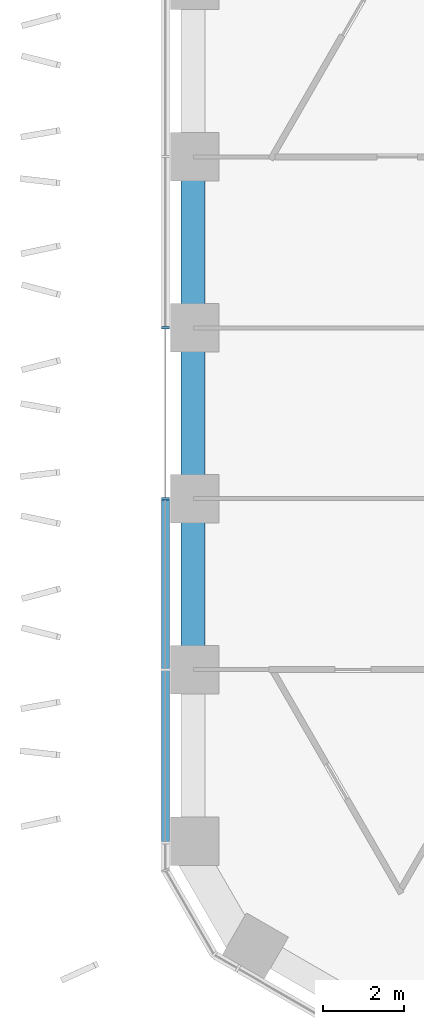
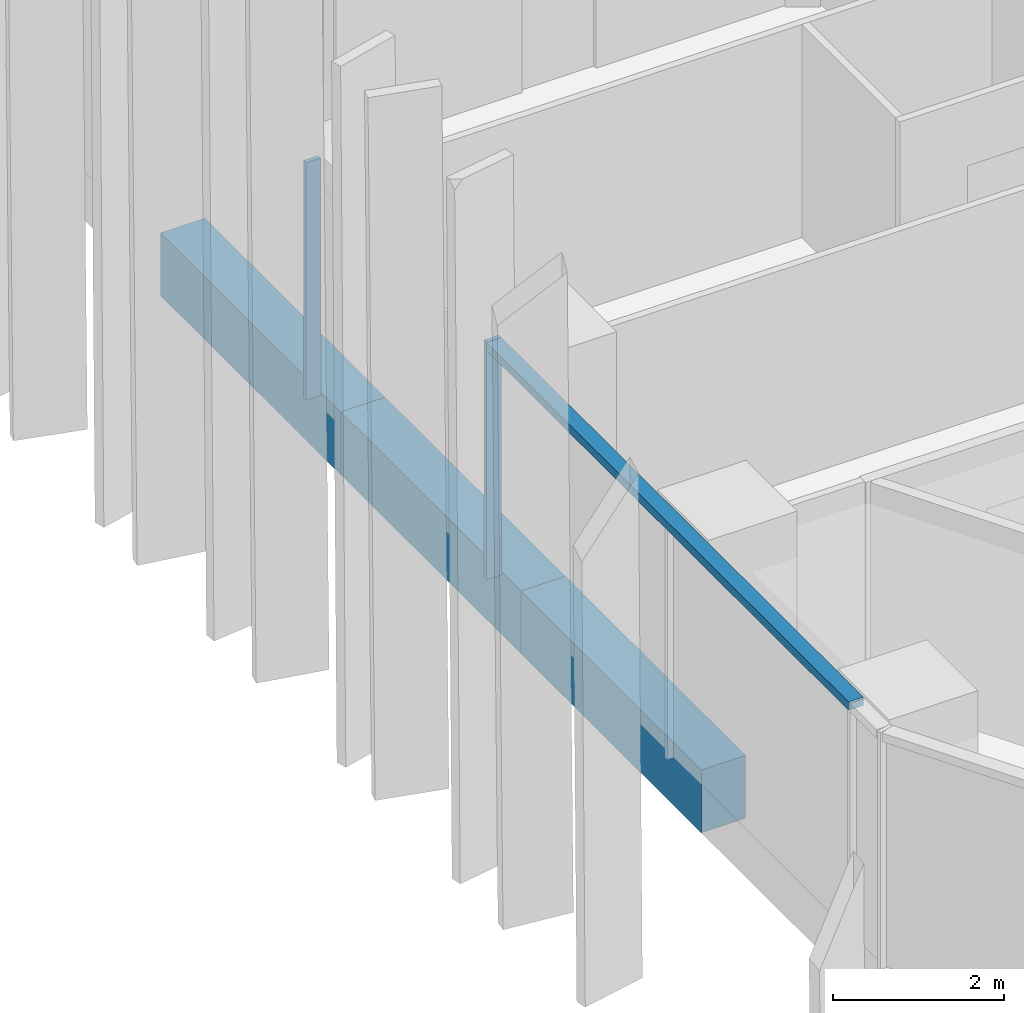
# One storey, part 3 of 19: 3 beams, 3 members, 1 element without a shape of its own.
"""IFC4 building model written with IfcOpenShell, lengths in metres."""

from ifc_helpers import new_model, si_unit, direction, frame, origin, origin_2d, place, context, subcontext, project, spatial, rectangle, extrude, material, layer, layer_set, material_profile, profile_set, type_object, element, aggregate, save


model = new_model("IFC4")

# Units and contexts
model_context = context("Model", 3, precision=1e-05, world=origin(), true_north=direction((0.0, 1.0)))
body_context = subcontext(model_context, "Body", "Model", "MODEL_VIEW")
ifc_project = project(units=[si_unit("LENGTHUNIT", "METRE"), si_unit("AREAUNIT", "SQUARE_METRE"), si_unit("VOLUMEUNIT", "CUBIC_METRE"), si_unit("PLANEANGLEUNIT", "RADIAN"), si_unit("MASSUNIT", "GRAM", prefix="KILO")], contexts=[model_context])

# Site, building, storey
site_placement = place(None, origin())
site = spatial("IfcSite", under=ifc_project, at=site_placement, CompositionType="ELEMENT")
building_placement = place(site_placement, origin())
building = spatial("IfcBuilding", under=site, at=building_placement, Name="Ayvan Gate Tower", CompositionType="ELEMENT")
storey_placement = place(building_placement, frame((0.0, 0.0, 56.10009765625)))
storey = spatial("IfcBuildingStorey", under=building, at=storey_placement, Name="L14", CompositionType="ELEMENT", Elevation=56.10009765625)

# Beams
ifc_material_1 = material(Name="Concrete C40/50", Category="concrete")
ifc_material_profile_1 = material_profile(ifc_material_1, rectangle(XDim=0.60009765625, YDim=0.89990234375, at=origin_2d()), Name="RC 600x900")
ifc_profile_set_1 = profile_set([ifc_material_profile_1], Name="Concrete C40/50")
beam_type = type_object("IfcBeamType", Name="Spandrel beam RC 600x900 C40/50", PredefinedType="BEAM", material=ifc_profile_set_1)
beam_1_placement = place(storey_placement, frame((-20.264404296875, 6.341064453125, -0.800048828125), z_axis=(0.0, -1.0, 0.0), x_axis=(1.0, 0.0, 0.0)))
element("IfcBeam", 1, at=beam_1_placement, inside=storey, type_object=beam_type, Name="SB-L14-20", PredefinedType="BEAM", context=body_context, shape_type="SweptSolid", body=[
    extrude(rectangle(XDim=0.60009765625, YDim=0.89990234375, at=origin_2d()), origin(), (0.0, 0.0, 1.0), 4.227294921875),
])
beam_2_placement = place(storey_placement, frame((-20.264404296875, 2.11376953125, -0.800048828125), z_axis=(0.0, -1.0, 0.0), x_axis=(1.0, 0.0, 0.0)))
element("IfcBeam", 2, at=beam_2_placement, inside=storey, type_object=beam_type, Name="SB-L14-21", PredefinedType="BEAM", context=body_context, shape_type="SweptSolid", body=[
    extrude(rectangle(XDim=0.60009765625, YDim=0.89990234375, at=origin_2d()), origin(), (0.0, 0.0, 1.0), 4.2275390625),
])
beam_3_placement = place(storey_placement, frame((-20.264404296875, -2.11376953125, -0.800048828125), z_axis=(0.0, -1.0, 0.0), x_axis=(1.0, 0.0, 0.0)))
element("IfcBeam", 3, at=beam_3_placement, inside=storey, type_object=beam_type, Name="SB-L14-22", PredefinedType="BEAM", context=body_context, shape_type="SweptSolid", body=[
    extrude(rectangle(XDim=0.60009765625, YDim=0.89990234375, at=origin_2d()), origin(), (0.0, 0.0, 1.0), 4.227294921875),
])

# Curtain wall, members
ifc_material_2 = material(Name="Bronze anodised aluminium", Category="aluminium")
ifc_layer = layer(ifc_material_2, 0.199951171875)
ifc_layer_set = layer_set([ifc_layer], Name="Bronze anodised aluminium")
curtain_wall_type = type_object("IfcCurtainWallType", Name="Stick curtain wall CW-1", PredefinedType="NOTDEFINED", material=ifc_layer_set)
curtain_wall_placement = place(storey_placement, origin())
curtain_wall = element("IfcCurtainWall", 4, at=curtain_wall_placement, inside=storey, type_object=curtain_wall_type, Name="Stick curtain wall CW-1 L14", PredefinedType="NOTDEFINED")
ifc_material_profile_2 = material_profile(ifc_material_2, rectangle(XDim=0.199951171875, YDim=0.06005859375, at=origin_2d()), Name="Stick curtain wall CW-1 mullion 200 x 60")
ifc_profile_set_2 = profile_set([ifc_material_profile_2], Name="Bronze anodised aluminium")
member_type_1 = type_object("IfcMemberType", Name="Stick curtain wall CW-1 mullion 200 x 60", PredefinedType="MULLION", material=ifc_profile_set_2)
member_1_placement = place(storey_placement, frame((-20.950439453125, 2.118408203125, 0.0), z_axis=(0.0, 0.0, 1.0), x_axis=(-1.0, 0.0, 0.0)))
member_1 = element("IfcMember", 5, at=member_1_placement, type_object=member_type_1, Name="CW-1 mullion 3", PredefinedType="MULLION", context=body_context, shape_type="SweptSolid", body=[
    extrude(rectangle(XDim=0.199951171875, YDim=0.06005859375, at=origin_2d()), origin(), (0.0, 0.0, 1.0), 3.39990234375),
])
member_2_placement = place(storey_placement, frame((-20.950439453125, -2.118408203125, 0.0), z_axis=(0.0, 0.0, 1.0), x_axis=(-1.0, 0.0, 0.0)))
member_2 = element("IfcMember", 6, at=member_2_placement, type_object=member_type_1, Name="CW-1 mullion 4", PredefinedType="MULLION", context=body_context, shape_type="SweptSolid", body=[
    extrude(rectangle(XDim=0.199951171875, YDim=0.06005859375, at=origin_2d()), origin(), (0.0, 0.0, 1.0), 3.39990234375),
])
ifc_material_profile_3 = material_profile(ifc_material_2, rectangle(XDim=0.199951171875, YDim=0.1201171875, at=origin_2d()), Name="Stick curtain wall CW-1 transom 200 x 120")
ifc_profile_set_3 = profile_set([ifc_material_profile_3], Name="Bronze anodised aluminium")
member_type_2 = type_object("IfcMemberType", Name="Stick curtain wall CW-1 transom 200 x 120", PredefinedType="USERDEFINED", material=ifc_profile_set_3)
member_3_placement = place(storey_placement, frame((-20.950439453125, -2.1484375, 3.33984375), z_axis=(0.0, -1.0, 0.0), x_axis=(1.0, 0.0, 0.0)))
member_3 = element("IfcMember", 7, at=member_3_placement, type_object=member_type_2, Name="CW-1 transom 2", ObjectType="TRANSOM", PredefinedType="USERDEFINED", context=body_context, shape_type="SweptSolid", body=[
    extrude(rectangle(XDim=0.199951171875, YDim=0.1201171875, at=origin_2d()), origin(), (0.0, 0.0, 1.0), 8.489990234375),
])
aggregate(curtain_wall, [member_1, member_2, member_3])

save(model, "model.ifc")
